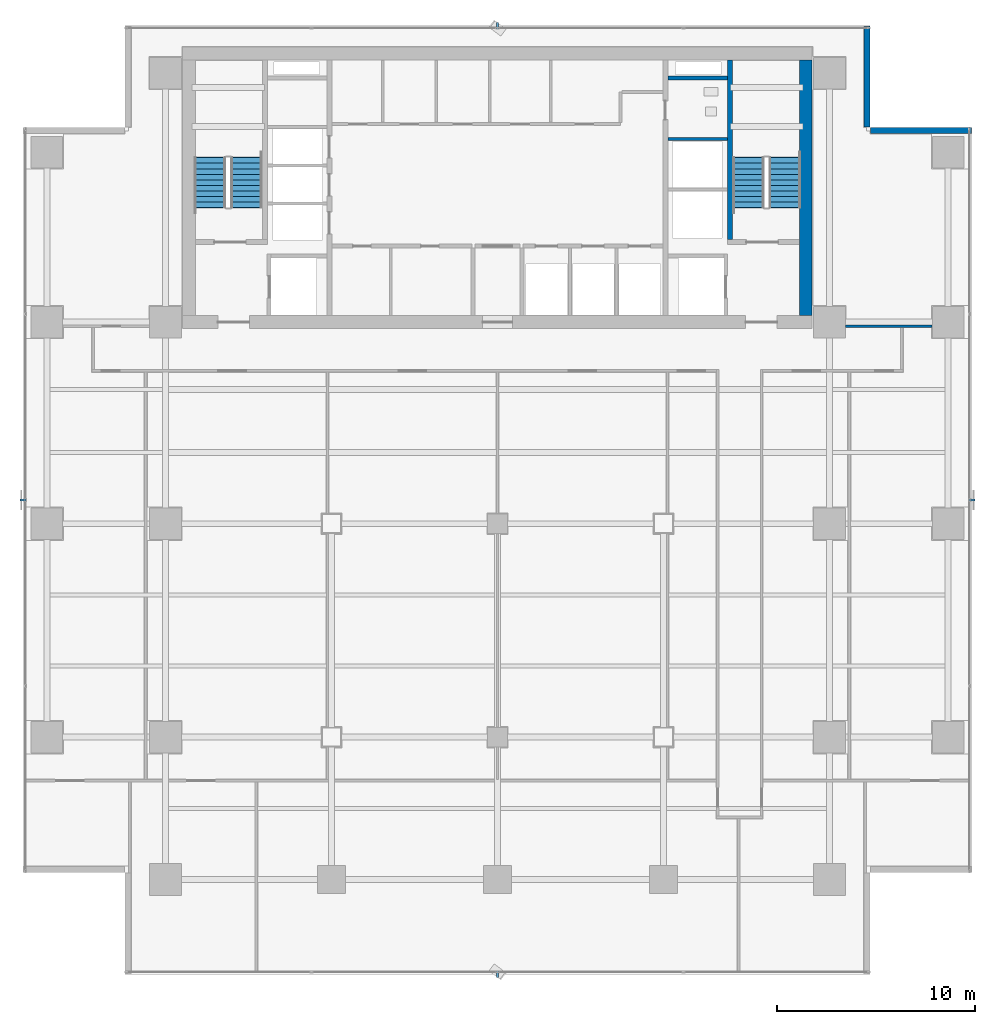
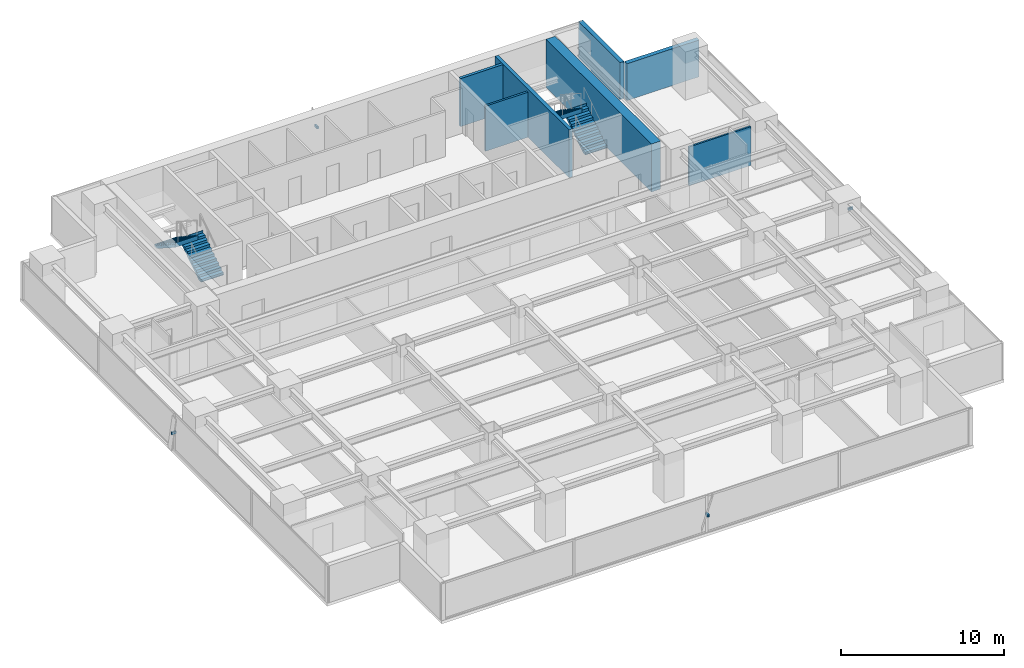
# One storey, part 23 of 28: 7 walls, 4 discrete accessories, 4 stair flights, 2 elements without a shape of their own.
"""IFC4 building model written with IfcOpenShell, lengths in metres."""

from ifc_helpers import new_model, si_unit, direction, frame, frame_2d, origin, origin_2d, place, context, subcontext, project, spatial, polyline, rectangle, outline, extrude, source, transform, mapped, material, layer, layer_set, material_profile, profile_set, type_object, element, aggregate, save


model = new_model("IFC4")

# Units and contexts
model_context = context("Model", 3, precision=1e-05, world=origin(), true_north=direction((0.0, 1.0)))
body_context = subcontext(model_context, "Body", "Model", "MODEL_VIEW")
ifc_project = project(units=[si_unit("LENGTHUNIT", "METRE"), si_unit("AREAUNIT", "SQUARE_METRE"), si_unit("VOLUMEUNIT", "CUBIC_METRE"), si_unit("PLANEANGLEUNIT", "RADIAN"), si_unit("MASSUNIT", "GRAM", prefix="KILO")], contexts=[model_context])

# Site, building, storey
site_placement = place(None, origin())
site = spatial("IfcSite", under=ifc_project, at=site_placement, CompositionType="ELEMENT")
building_placement = place(site_placement, origin())
building = spatial("IfcBuilding", under=site, at=building_placement, Name="Sumidabori Civic Tower", CompositionType="ELEMENT")
storey_placement = place(building_placement, frame((0.0, 0.0, 178.39990234375)))
storey = spatial("IfcBuildingStorey", under=building, at=storey_placement, Name="L46", CompositionType="ELEMENT", Elevation=178.39990234375)

# Walls
ifc_material_1 = material(Name="Concrete C50/60", Category="concrete")
ifc_layer_1 = layer(ifc_material_1, 0.199951171875, Name="Concrete C50/60")
ifc_layer_set_1 = layer_set([ifc_layer_1], Name="Concrete C50/60")
wall_type_1 = type_object("IfcWallType", Name="WL-SHAFT-200", PredefinedType="SHEAR", material=ifc_layer_set_1)
shared_shape_1 = source(origin(), body_context, "Body", "SweptSolid", [
    extrude(rectangle(XDim=3.02001953125, YDim=0.199951171875, at=frame_2d((1.510009765625, 0.0))), origin(), (0.0, 0.0, 1.0), 3.60009765625),
])
wall_1_placement = place(storey_placement, frame((8.625, 22.550048828125, 0.0), z_axis=(0.0, 0.0, 1.0), x_axis=(1.0, 0.0, 0.0)))
element("IfcWall", 1, at=wall_1_placement, inside=storey, type_object=wall_type_1, Name="Core Shear Wall L46 RIS2-S", PredefinedType="SHEAR", context=body_context, shape_type="MappedRepresentation", body=[
    mapped(shared_shape_1, transform((0.0, 0.0, 0.0), x_axis=(1.0, 0.0, 0.0), y_axis=(0.0, 1.0, 0.0), z_axis=(0.0, 0.0, 1.0), scale=1.0)),
])
ifc_material_2 = material(Name="Concrete C60/75", Category="concrete")
ifc_layer_2 = layer(ifc_material_2, 0.64990234375, Name="Concrete C60/75")
ifc_layer_set_2 = layer_set([ifc_layer_2], Name="Concrete C60/75")
wall_type_2 = type_object("IfcWallType", Name="WL-CORE-650", PredefinedType="SHEAR", material=ifc_layer_set_2)
shared_shape_2 = source(origin(), body_context, "Body", "SweptSolid", [
    extrude(rectangle(XDim=12.9501953125, YDim=0.64990234375, at=frame_2d((6.47509765625, 0.0))), origin(), (0.0, 0.0, 1.0), 3.60009765625),
])
wall_2_placement = place(storey_placement, frame((15.60009765625, 10.52490234375, 0.0), z_axis=(0.0, 0.0, 1.0), x_axis=(0.0, 1.0, 0.0)))
element("IfcWall", 2, at=wall_2_placement, inside=storey, type_object=wall_type_2, Name="Core Shear Wall L46 E", PredefinedType="SHEAR", context=body_context, shape_type="MappedRepresentation", body=[
    mapped(shared_shape_2, transform((0.0, 0.0, 0.0), x_axis=(1.0, 0.0, 0.0), y_axis=(0.0, 1.0, 0.0), z_axis=(0.0, 0.0, 1.0), scale=1.0)),
])
ifc_layer_3 = layer(ifc_material_1, 0.25, Name="Concrete C50/60")
ifc_layer_set_3 = layer_set([ifc_layer_3], Name="Concrete C50/60")
wall_type_3 = type_object("IfcWallType", Name="WL-SHAFT-250", PredefinedType="SHEAR", material=ifc_layer_set_3)
shared_shape_3 = source(origin(), body_context, "Body", "SweptSolid", [
    extrude(rectangle(XDim=9.10009765625, YDim=0.25, at=frame_2d((4.550048828125, 0.0))), origin(), (0.0, 0.0, 1.0), 3.60009765625),
])
wall_3_placement = place(storey_placement, frame((11.77001953125, 14.375, 0.0), z_axis=(0.0, 0.0, 1.0), x_axis=(0.0, 1.0, 0.0)))
element("IfcWall", 3, at=wall_3_placement, inside=storey, type_object=wall_type_3, Name="Core Shear Wall L46 ST2-W", PredefinedType="SHEAR", context=body_context, shape_type="MappedRepresentation", body=[
    mapped(shared_shape_3, transform((0.0, 0.0, 0.0), x_axis=(1.0, 0.0, 0.0), y_axis=(0.0, 1.0, 0.0), z_axis=(0.0, 0.0, 1.0), scale=1.0)),
])
ifc_material_3 = material(Name="Precast concrete C40/50", Category="concrete")
ifc_layer_4 = layer(ifc_material_3, 0.300048828125, Name="Precast concrete C40/50")
ifc_layer_set_4 = layer_set([ifc_layer_4], Name="Precast concrete C40/50")
wall_type_4 = type_object("IfcWallType", Name="WL-EXT-POD300", PredefinedType="STANDARD", material=ifc_layer_set_4)
shared_shape_4 = source(origin(), body_context, "Body", "SweptSolid", [
    extrude(rectangle(XDim=5.10986328125, YDim=0.300048828125, at=frame_2d((2.554931640625, 0.0))), origin(), (0.0, 0.0, 1.0), 2.760009765625),
])
for number, where, z_axis, x_axis, name in (
    (4, (23.97998046875, 19.89990234375, 0.0), (0.0, 0.0, 1.0), (-1.0, 0.0, 0.0), "Notched Corner Spandrel Band L46-05"),
    (5, (18.699951171875, 20.070068359375, 0.0), (0.0, 0.0, 1.0), (0.0, 1.0, 0.0), "Notched Corner Spandrel Band L46-06"),
):
    element("IfcWall", number, at=place(storey_placement, frame(where, z_axis=z_axis, x_axis=x_axis)), inside=storey, type_object=wall_type_4, Name=name, PredefinedType="STANDARD", context=body_context, shape_type="MappedRepresentation", body=[
        mapped(shared_shape_4, transform((0.0, 0.0, 0.0), x_axis=(1.0, 0.0, 0.0), y_axis=(0.0, 1.0, 0.0), z_axis=(0.0, 0.0, 1.0), scale=1.0)),
    ])
ifc_material_4 = material(Name="Gypsum Plasterboard Acoustic Partition")
ifc_layer_5 = layer(ifc_material_4, 0.14990234375, Name="Gypsum Plasterboard Acoustic Partition")
ifc_layer_set_5 = layer_set([ifc_layer_5], Name="Gypsum Plasterboard Acoustic Partition")
wall_type_5 = type_object("IfcWallType", Name="WL-PART-150", PredefinedType="PARTITIONING", material=ifc_layer_set_5)
shared_shape_5 = source(origin(), body_context, "Body", "SweptSolid", [
    extrude(rectangle(XDim=3.010009765625, YDim=0.14990234375, at=frame_2d((1.5048828125, 0.0))), origin(), (0.0, 0.0, 1.0), 3.380126953125),
])
wall_4_placement = place(storey_placement, frame((8.6298828125, 19.469970703125, 0.0), z_axis=(0.0, 0.0, 1.0), x_axis=(1.0, 0.0, 0.0)))
element("IfcWall", 6, at=wall_4_placement, inside=storey, type_object=wall_type_5, Name="Interior Partition WL:L46:DIV-OBS2", PredefinedType="PARTITIONING", context=body_context, shape_type="MappedRepresentation", body=[
    mapped(shared_shape_5, transform((0.0, 0.0, 0.0), x_axis=(1.0, 0.0, 0.0), y_axis=(0.0, 1.0, 0.0), z_axis=(0.0, 0.0, 1.0), scale=1.0)),
])
ifc_layer_6 = layer(ifc_material_4, 0.1201171875, Name="Gypsum Plasterboard Acoustic Partition")
ifc_layer_set_6 = layer_set([ifc_layer_6], Name="Gypsum Plasterboard Acoustic Partition")
wall_type_6 = type_object("IfcWallType", Name="WL-PART-120", PredefinedType="PARTITIONING", material=ifc_layer_set_6)
shared_shape_6 = source(origin(), body_context, "Body", "SweptSolid", [
    extrude(rectangle(XDim=4.3798828125, YDim=0.1201171875, at=frame_2d((2.18994140625, 0.0))), origin(), (0.0, 0.0, 1.0), 2.9150390625),
])
wall_5_placement = place(storey_placement, frame((17.610107421875, 10.0, 0.0), z_axis=(0.0, 0.0, 1.0), x_axis=(1.0, 0.0, 0.0)))
element("IfcWall", 7, at=wall_5_placement, inside=storey, type_object=wall_type_6, Name="Interior Partition WL:L46:FLK-NE", PredefinedType="PARTITIONING", context=body_context, shape_type="MappedRepresentation", body=[
    mapped(shared_shape_6, transform((0.0, 0.0, 0.0), x_axis=(1.0, 0.0, 0.0), y_axis=(0.0, 1.0, 0.0), z_axis=(0.0, 0.0, 1.0), scale=1.0)),
])

# Stair, stair flights
ifc_material_5 = material(Name="Concrete C40/50", Category="concrete")
stair_type = type_object("IfcStairType", Name="ST-CORE-1600", PredefinedType="HALF_TURN_STAIR", material=ifc_material_5)
stair_1_placement = place(storey_placement, origin())
stair_1 = element("IfcStair", 8, at=stair_1_placement, inside=storey, type_object=stair_type, Name="L46 ST-1", PredefinedType="HALF_TURN_STAIR")
stair_flight_type = type_object("IfcStairFlightType", Name="SF-CORE-1600", PredefinedType="STRAIGHT", material=ifc_material_5)
shared_shape_7 = source(origin(), body_context, "Body", "SweptSolid", [
    extrude(outline(polyline([(-0.02490234375, 0.0), (-0.02490234375, 0.0400390625), (0.0, 0.0400390625), (0.0, 0.179931640625), (0.280029296875, 0.179931640625), (0.280029296875, 0.360107421875), (0.56005859375, 0.360107421875), (0.56005859375, 0.5400390625), (0.840087890625, 0.5400390625), (0.840087890625, 0.719970703125), (1.1201171875, 0.719970703125), (1.1201171875, 0.89990234375), (1.39990234375, 0.89990234375), (1.39990234375, 1.080078125), (1.679931640625, 1.080078125), (1.679931640625, 1.260009765625), (1.9599609375, 1.260009765625), (1.9599609375, 1.43994140625), (2.239990234375, 1.43994140625), (2.239990234375, 1.6201171875), (2.52001953125, 1.6201171875), (2.52001953125, 1.800048828125), (2.544921875, 1.800048828125), (2.544921875, 1.650146484375), (2.52001953125, 1.44189453125), (0.277099609375, 0.0), (-0.02490234375, 0.0)])), frame((0.0, 0.800048828125, 0.0), z_axis=(0.0, -1.0, 0.0), x_axis=(1.0, 0.0, 0.0)), (0.0, 0.0, 1.0), 1.60009765625),
])
stair_flight_1_placement = place(storey_placement, frame((-12.699951171875, 16.0, 0.0), z_axis=(0.0, 0.0, 1.0), x_axis=(0.0, 1.0, 0.0)))
stair_flight_1 = element("IfcStairFlight", 9, at=stair_flight_1_placement, type_object=stair_flight_type, Name="ST-1 flight 1", NumberOfRisers=10, NumberOfTreads=9, PredefinedType="STRAIGHT", RiserHeight=0.18, TreadLength=0.28, context=body_context, shape_type="MappedRepresentation", body=[
    mapped(shared_shape_7, transform((0.0, 0.0, 0.0), x_axis=(1.0, 0.0, 0.0), y_axis=(0.0, 1.0, 0.0), z_axis=(0.0, 0.0, 1.0), scale=1.0)),
])
stair_flight_2_placement = place(storey_placement, frame((-14.5400390625, 18.52001953125, 1.800048828125), z_axis=(0.0, 0.0, 1.0), x_axis=(0.0, -1.0, 0.0)))
stair_flight_2 = element("IfcStairFlight", 10, at=stair_flight_2_placement, type_object=stair_flight_type, Name="ST-1 flight 2", NumberOfRisers=10, NumberOfTreads=9, PredefinedType="STRAIGHT", RiserHeight=0.18, TreadLength=0.28, context=body_context, shape_type="MappedRepresentation", body=[
    mapped(shared_shape_7, transform((0.0, 0.0, 0.0), x_axis=(1.0, 0.0, 0.0), y_axis=(0.0, 1.0, 0.0), z_axis=(0.0, 0.0, 1.0), scale=1.0)),
])
aggregate(stair_1, [stair_flight_1, stair_flight_2])

stair_2_placement = place(storey_placement, origin())
stair_2 = element("IfcStair", 11, at=stair_2_placement, inside=storey, type_object=stair_type, Name="L46 ST-2", PredefinedType="HALF_TURN_STAIR")
stair_flight_3_placement = place(storey_placement, frame((14.5400390625, 16.0, 0.0), z_axis=(0.0, 0.0, 1.0), x_axis=(0.0, 1.0, 0.0)))
stair_flight_3 = element("IfcStairFlight", 12, at=stair_flight_3_placement, type_object=stair_flight_type, Name="ST-2 flight 1", NumberOfRisers=10, NumberOfTreads=9, PredefinedType="STRAIGHT", RiserHeight=0.18, TreadLength=0.28, context=body_context, shape_type="MappedRepresentation", body=[
    mapped(shared_shape_7, transform((0.0, 0.0, 0.0), x_axis=(1.0, 0.0, 0.0), y_axis=(0.0, 1.0, 0.0), z_axis=(0.0, 0.0, 1.0), scale=1.0)),
])
stair_flight_4_placement = place(storey_placement, frame((12.699951171875, 18.52001953125, 1.800048828125), z_axis=(0.0, 0.0, 1.0), x_axis=(0.0, -1.0, 0.0)))
stair_flight_4 = element("IfcStairFlight", 13, at=stair_flight_4_placement, type_object=stair_flight_type, Name="ST-2 flight 2", NumberOfRisers=10, NumberOfTreads=9, PredefinedType="STRAIGHT", RiserHeight=0.18, TreadLength=0.28, context=body_context, shape_type="MappedRepresentation", body=[
    mapped(shared_shape_7, transform((0.0, 0.0, 0.0), x_axis=(1.0, 0.0, 0.0), y_axis=(0.0, 1.0, 0.0), z_axis=(0.0, 0.0, 1.0), scale=1.0)),
])
aggregate(stair_2, [stair_flight_3, stair_flight_4])

# Discrete accessories
ifc_material_6 = material(Name="Stainless Steel Hairline Finish", Category="steel")
ifc_material_profile = material_profile(ifc_material_6, rectangle(XDim=0.1201171875, YDim=0.179931640625, at=origin_2d()), Name="STEEL BRACKET 180x120")
ifc_profile_set = profile_set([ifc_material_profile], Name="Stainless Steel Hairline Finish")
discrete_accessory_type = type_object("IfcDiscreteAccessoryType", Name="AC-BRK-180", PredefinedType="BRACKET", material=ifc_profile_set)
shared_shape_8 = source(origin(), body_context, "Body", "SweptSolid", [
    extrude(rectangle(XDim=0.1201171875, YDim=0.179931640625, at=origin_2d()), origin(), (0.0, 0.0, 1.0), 0.329833984375),
])
for number, where, z_axis, x_axis, name in (
    (14, (23.830078125, 1.199951171875, 1.3701171875), (1.0, 0.0, 0.0), (0.0, 1.0, 0.0), "Bronze Fin Fixing Bracket L46-02"),
    (15, (-23.830078125, 1.199951171875, 1.3701171875), (-1.0, 0.0, 0.0), (0.0, -1.0, 0.0), "Bronze Fin Fixing Bracket L46-02"),
):
    element("IfcDiscreteAccessory", number, at=place(storey_placement, frame(where, z_axis=z_axis, x_axis=x_axis)), inside=storey, type_object=discrete_accessory_type, Name=name, PredefinedType="BRACKET", context=body_context, shape_type="MappedRepresentation", body=[
        mapped(shared_shape_8, transform((0.0, 0.0, 0.0), x_axis=(1.0, 0.0, 0.0), y_axis=(0.0, 1.0, 0.0), z_axis=(0.0, 0.0, 1.0), scale=1.0)),
    ])
shared_shape_9 = source(origin(), body_context, "Body", "SweptSolid", [
    extrude(rectangle(XDim=0.1201171875, YDim=0.179931640625, at=origin_2d()), origin(), (0.0, 0.0, 1.0), 0.330078125),
])
for number, where, z_axis, x_axis, name in (
    (16, (0.0, -22.6298828125, 1.3701171875), (0.0, -1.0, 0.0), (1.0, 0.0, 0.0), "Bronze Fin Fixing Bracket L46-02"),
    (17, (0.0, 25.030029296875, 1.3701171875), (0.0, 1.0, 0.0), (-1.0, 0.0, 0.0), "Bronze Fin Fixing Bracket L46-02"),
):
    element("IfcDiscreteAccessory", number, at=place(storey_placement, frame(where, z_axis=z_axis, x_axis=x_axis)), inside=storey, type_object=discrete_accessory_type, Name=name, PredefinedType="BRACKET", context=body_context, shape_type="MappedRepresentation", body=[
        mapped(shared_shape_9, transform((0.0, 0.0, 0.0), x_axis=(1.0, 0.0, 0.0), y_axis=(0.0, 1.0, 0.0), z_axis=(0.0, 0.0, 1.0), scale=1.0)),
    ])

save(model, "model.ifc")
